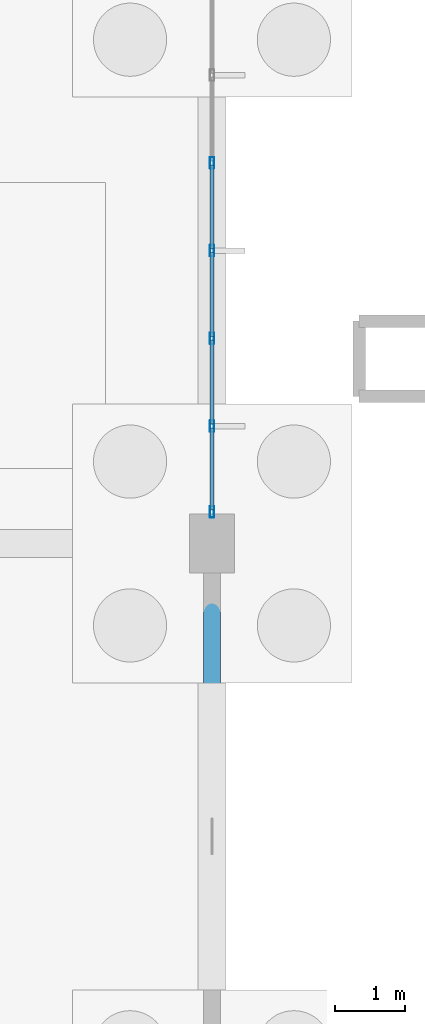
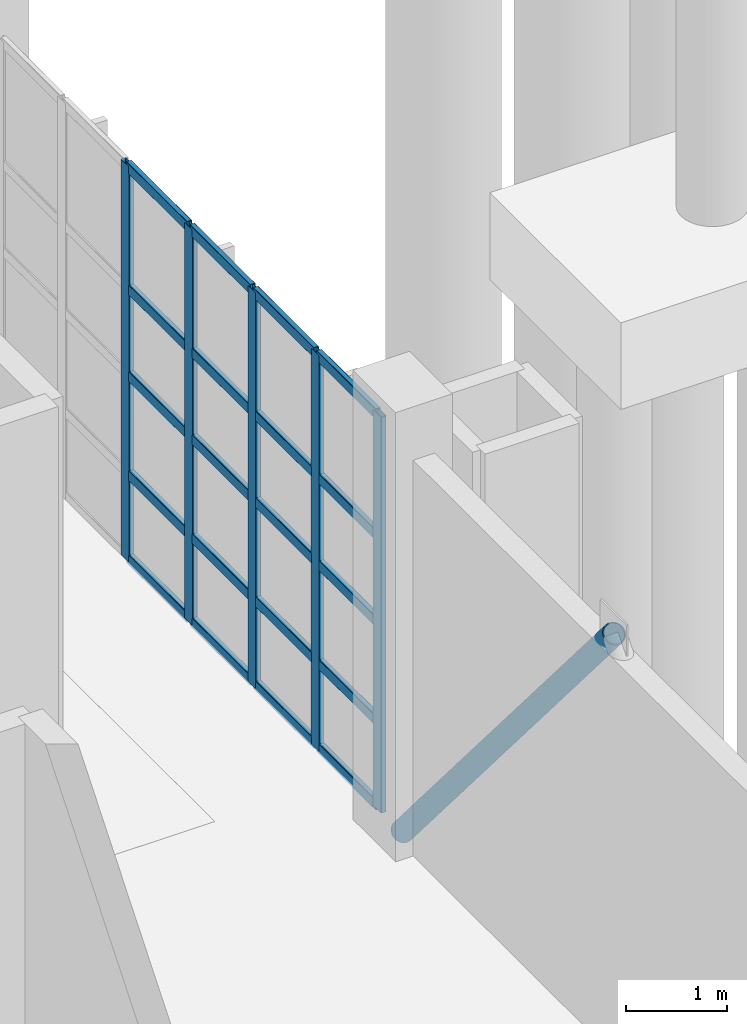
# One storey, part 30 of 83: 26 members, 1 element without a shape of its own.
"""IFC4 building model written with IfcOpenShell, lengths in metres."""

from ifc_helpers import new_model, si_unit, direction, frame, origin, origin_2d, place, context, subcontext, project, spatial, hollow_rectangle, hollow_circle, extrude, material, layer, layer_set, material_profile, profile_set, type_object, element, aggregate, save


model = new_model("IFC4")

# Units and contexts
model_context = context("Model", 3, precision=1e-05, world=origin(), true_north=direction((0.0, 1.0)))
body_context = subcontext(model_context, "Body", "Model", "MODEL_VIEW")
ifc_project = project(units=[si_unit("LENGTHUNIT", "METRE"), si_unit("AREAUNIT", "SQUARE_METRE"), si_unit("VOLUMEUNIT", "CUBIC_METRE"), si_unit("PLANEANGLEUNIT", "RADIAN"), si_unit("MASSUNIT", "GRAM", prefix="KILO"), si_unit("THERMODYNAMICTEMPERATUREUNIT", "KELVIN"), si_unit("POWERUNIT", "WATT")], contexts=[model_context])

# Site, building, storey
site_placement = place(None, origin())
site = spatial("IfcSite", under=ifc_project, at=site_placement, CompositionType="ELEMENT")
building_placement = place(site_placement, origin())
building = spatial("IfcBuilding", under=site, at=building_placement, Name="Mavoryth Pier Ferry Terminal", CompositionType="ELEMENT")
storey_placement = place(building_placement, origin())
storey = spatial("IfcBuildingStorey", under=building, at=storey_placement, Name="L00", CompositionType="ELEMENT", Elevation=0.0)

# Member
ifc_material_1 = material(Name="Steel S355J2", Category="steel")
ifc_material_profile_1 = material_profile(ifc_material_1, hollow_circle(Radius=0.122314453125, WallThickness=0.012451171875, at=origin_2d()), Name="CHS 244.5x12.5", Category="steel")
ifc_profile_set_1 = profile_set([ifc_material_profile_1], Name="Steel S355J2 - CHS 244.5x12.5")
member_type_1 = type_object("IfcMemberType", Name="Brace-Diag-CHS245", PredefinedType="BRACE", material=ifc_profile_set_1)
member_1_placement = place(storey_placement, frame((33.60009765625, 89.199951171875, 0.0), z_axis=(0.0, -0.64773803869, 0.761863132875), x_axis=(1.0, 0.0, 0.0)))
element("IfcMember", 1, at=member_1_placement, inside=storey, type_object=member_type_1, Name="Steel Member MB-L00-0305", PredefinedType="BRACE", context=body_context, shape_type="SweptSolid", body=[
    extrude(hollow_circle(Radius=0.122314453125, WallThickness=0.012451171875, at=origin_2d()), origin(), (0.0, 0.0, 1.0), 6.484130859375),
])

# Curtain wall, members
ifc_material_2 = material(Name="Anodised Aluminium and Solar-Control Low-E Glass", Category="aluminium")
ifc_layer = layer(ifc_material_2, 0.199951171875, Name="Anodised Aluminium and Solar-Control Low-E Glass", Category="aluminium")
ifc_layer_set = layer_set([ifc_layer], Name="Anodised Aluminium and Solar-Control Low-E Glass - CW-Concourse-Mod1200")
curtain_wall_type = type_object("IfcCurtainWallType", Name="CW-Concourse-Mod1200", PredefinedType="USERDEFINED", material=ifc_layer_set)
curtain_wall_placement = place(storey_placement, origin())
curtain_wall = element("IfcCurtainWall", 2, at=curtain_wall_placement, inside=storey, type_object=curtain_wall_type, Name="Curtain Wall CW-0022-026", ObjectType="UNITISED CURTAIN WALL", PredefinedType="USERDEFINED")
ifc_material_3 = material(Name="Anodised Aluminium EN AW-6063", Category="aluminium")
ifc_material_profile_2 = material_profile(ifc_material_3, hollow_rectangle(XDim=0.06005859375, YDim=0.1650390625, WallThickness=0.00390625, InnerFilletRadius=0.00390625, OuterFilletRadius=0.008056640625, at=origin_2d()), Name="AL-MULL 165x60x4", Category="aluminium")
ifc_profile_set_2 = profile_set([ifc_material_profile_2], Name="Anodised Aluminium EN AW-6063 - AL-MULL 165x60x4")
member_type_2 = type_object("IfcMemberType", Name="Mullion-Alum-165x60", PredefinedType="MULLION", material=ifc_profile_set_2)
member_2_placement = place(storey_placement, frame((33.60009765625, 89.655029296875, 0.0), z_axis=(0.0, 0.0, 1.0), x_axis=(-1.0, 0.0, 0.0)))
member_2 = element("IfcMember", 3, at=member_2_placement, type_object=member_type_2, Name="CW02 mullion 1", PredefinedType="MULLION", context=body_context, shape_type="SweptSolid", body=[
    extrude(hollow_rectangle(XDim=0.06005859375, YDim=0.1650390625, WallThickness=0.00390625, InnerFilletRadius=0.00390625, OuterFilletRadius=0.008056640625, at=origin_2d()), origin(), (0.0, 0.0, 1.0), 4.794921875),
])
member_3_placement = place(storey_placement, frame((33.60009765625, 90.88330078125, 0.0), z_axis=(0.0, 0.0, 1.0), x_axis=(-1.0, 0.0, 0.0)))
member_3 = element("IfcMember", 4, at=member_3_placement, type_object=member_type_2, Name="CW02 mullion 2", PredefinedType="MULLION", context=body_context, shape_type="SweptSolid", body=[
    extrude(hollow_rectangle(XDim=0.06005859375, YDim=0.1650390625, WallThickness=0.00390625, InnerFilletRadius=0.00390625, OuterFilletRadius=0.008056640625, at=origin_2d()), origin(), (0.0, 0.0, 1.0), 4.794921875),
])
member_4_placement = place(storey_placement, frame((33.60009765625, 92.1416015625, 0.0), z_axis=(0.0, 0.0, 1.0), x_axis=(-1.0, 0.0, 0.0)))
member_4 = element("IfcMember", 5, at=member_4_placement, type_object=member_type_2, Name="CW02 mullion 3", PredefinedType="MULLION", context=body_context, shape_type="SweptSolid", body=[
    extrude(hollow_rectangle(XDim=0.06005859375, YDim=0.1650390625, WallThickness=0.00390625, InnerFilletRadius=0.00390625, OuterFilletRadius=0.008056640625, at=origin_2d()), origin(), (0.0, 0.0, 1.0), 4.794921875),
])
member_5_placement = place(storey_placement, frame((33.60009765625, 93.39990234375, 0.0), z_axis=(0.0, 0.0, 1.0), x_axis=(-1.0, 0.0, 0.0)))
member_5 = element("IfcMember", 6, at=member_5_placement, type_object=member_type_2, Name="CW02 mullion 4", PredefinedType="MULLION", context=body_context, shape_type="SweptSolid", body=[
    extrude(hollow_rectangle(XDim=0.06005859375, YDim=0.1650390625, WallThickness=0.00390625, InnerFilletRadius=0.00390625, OuterFilletRadius=0.008056640625, at=origin_2d()), origin(), (0.0, 0.0, 1.0), 4.794921875),
])
member_6_placement = place(storey_placement, frame((33.60009765625, 94.658447265625, 0.0), z_axis=(0.0, 0.0, 1.0), x_axis=(-1.0, 0.0, 0.0)))
member_6 = element("IfcMember", 7, at=member_6_placement, type_object=member_type_2, Name="CW02 mullion 5", PredefinedType="MULLION", context=body_context, shape_type="SweptSolid", body=[
    extrude(hollow_rectangle(XDim=0.06005859375, YDim=0.1650390625, WallThickness=0.00390625, InnerFilletRadius=0.00390625, OuterFilletRadius=0.008056640625, at=origin_2d()), origin(), (0.0, 0.0, 1.0), 4.794921875),
])
ifc_material_profile_3 = material_profile(ifc_material_3, hollow_rectangle(XDim=0.06005859375, YDim=0.125, WallThickness=0.00390625, InnerFilletRadius=0.00390625, OuterFilletRadius=0.008056640625, at=origin_2d()), Name="AL-TRAN 125x60x4", Category="aluminium")
ifc_profile_set_3 = profile_set([ifc_material_profile_3], Name="Anodised Aluminium EN AW-6063 - AL-TRAN 125x60x4")
member_type_3 = type_object("IfcMemberType", Name="Transom-Alum-125x60", PredefinedType="USERDEFINED", material=ifc_profile_set_3)
member_7_placement = place(storey_placement, frame((33.60009765625, 89.68505859375, 0.030029296875), z_axis=(0.0, 1.0, 0.0), x_axis=(-1.0, 0.0, 0.0)))
member_7 = element("IfcMember", 8, at=member_7_placement, type_object=member_type_3, Name="CW02 transom 1.1", ObjectType="TRANSOM", PredefinedType="USERDEFINED", context=body_context, shape_type="SweptSolid", body=[
    extrude(hollow_rectangle(XDim=0.06005859375, YDim=0.125, WallThickness=0.00390625, InnerFilletRadius=0.00390625, OuterFilletRadius=0.008056640625, at=origin_2d()), origin(), (0.0, 0.0, 1.0), 1.168212890625),
])
member_8_placement = place(storey_placement, frame((33.60009765625, 89.68505859375, 1.050048828125), z_axis=(0.0, 1.0, 0.0), x_axis=(-1.0, 0.0, 0.0)))
member_8 = element("IfcMember", 9, at=member_8_placement, type_object=member_type_3, Name="CW02 transom 1.2", ObjectType="TRANSOM", PredefinedType="USERDEFINED", context=body_context, shape_type="SweptSolid", body=[
    extrude(hollow_rectangle(XDim=0.06005859375, YDim=0.125, WallThickness=0.00390625, InnerFilletRadius=0.00390625, OuterFilletRadius=0.008056640625, at=origin_2d()), origin(), (0.0, 0.0, 1.0), 1.168212890625),
])
member_9_placement = place(storey_placement, frame((33.60009765625, 89.68505859375, 2.25), z_axis=(0.0, 1.0, 0.0), x_axis=(-1.0, 0.0, 0.0)))
member_9 = element("IfcMember", 10, at=member_9_placement, type_object=member_type_3, Name="CW02 transom 1.3", ObjectType="TRANSOM", PredefinedType="USERDEFINED", context=body_context, shape_type="SweptSolid", body=[
    extrude(hollow_rectangle(XDim=0.06005859375, YDim=0.125, WallThickness=0.00390625, InnerFilletRadius=0.00390625, OuterFilletRadius=0.008056640625, at=origin_2d()), origin(), (0.0, 0.0, 1.0), 1.168212890625),
])
member_10_placement = place(storey_placement, frame((33.60009765625, 89.68505859375, 3.300048828125), z_axis=(0.0, 1.0, 0.0), x_axis=(-1.0, 0.0, 0.0)))
member_10 = element("IfcMember", 11, at=member_10_placement, type_object=member_type_3, Name="CW02 transom 1.4", ObjectType="TRANSOM", PredefinedType="USERDEFINED", context=body_context, shape_type="SweptSolid", body=[
    extrude(hollow_rectangle(XDim=0.06005859375, YDim=0.125, WallThickness=0.00390625, InnerFilletRadius=0.00390625, OuterFilletRadius=0.008056640625, at=origin_2d()), origin(), (0.0, 0.0, 1.0), 1.168212890625),
])
member_11_placement = place(storey_placement, frame((33.60009765625, 89.68505859375, 4.764892578125), z_axis=(0.0, 1.0, 0.0), x_axis=(-1.0, 0.0, 0.0)))
member_11 = element("IfcMember", 12, at=member_11_placement, type_object=member_type_3, Name="CW02 transom 1.5", ObjectType="TRANSOM", PredefinedType="USERDEFINED", context=body_context, shape_type="SweptSolid", body=[
    extrude(hollow_rectangle(XDim=0.06005859375, YDim=0.125, WallThickness=0.00390625, InnerFilletRadius=0.00390625, OuterFilletRadius=0.008056640625, at=origin_2d()), origin(), (0.0, 0.0, 1.0), 1.168212890625),
])
member_12_placement = place(storey_placement, frame((33.60009765625, 90.913330078125, 0.030029296875), z_axis=(0.0, 1.0, 0.0), x_axis=(-1.0, 0.0, 0.0)))
member_12 = element("IfcMember", 13, at=member_12_placement, type_object=member_type_3, Name="CW02 transom 2.1", ObjectType="TRANSOM", PredefinedType="USERDEFINED", context=body_context, shape_type="SweptSolid", body=[
    extrude(hollow_rectangle(XDim=0.06005859375, YDim=0.125, WallThickness=0.00390625, InnerFilletRadius=0.00390625, OuterFilletRadius=0.008056640625, at=origin_2d()), origin(), (0.0, 0.0, 1.0), 1.1982421875),
])
member_13_placement = place(storey_placement, frame((33.60009765625, 90.913330078125, 1.050048828125), z_axis=(0.0, 1.0, 0.0), x_axis=(-1.0, 0.0, 0.0)))
member_13 = element("IfcMember", 14, at=member_13_placement, type_object=member_type_3, Name="CW02 transom 2.2", ObjectType="TRANSOM", PredefinedType="USERDEFINED", context=body_context, shape_type="SweptSolid", body=[
    extrude(hollow_rectangle(XDim=0.06005859375, YDim=0.125, WallThickness=0.00390625, InnerFilletRadius=0.00390625, OuterFilletRadius=0.008056640625, at=origin_2d()), origin(), (0.0, 0.0, 1.0), 1.1982421875),
])
member_14_placement = place(storey_placement, frame((33.60009765625, 90.913330078125, 2.25), z_axis=(0.0, 1.0, 0.0), x_axis=(-1.0, 0.0, 0.0)))
member_14 = element("IfcMember", 15, at=member_14_placement, type_object=member_type_3, Name="CW02 transom 2.3", ObjectType="TRANSOM", PredefinedType="USERDEFINED", context=body_context, shape_type="SweptSolid", body=[
    extrude(hollow_rectangle(XDim=0.06005859375, YDim=0.125, WallThickness=0.00390625, InnerFilletRadius=0.00390625, OuterFilletRadius=0.008056640625, at=origin_2d()), origin(), (0.0, 0.0, 1.0), 1.1982421875),
])
member_15_placement = place(storey_placement, frame((33.60009765625, 90.913330078125, 3.300048828125), z_axis=(0.0, 1.0, 0.0), x_axis=(-1.0, 0.0, 0.0)))
member_15 = element("IfcMember", 16, at=member_15_placement, type_object=member_type_3, Name="CW02 transom 2.4", ObjectType="TRANSOM", PredefinedType="USERDEFINED", context=body_context, shape_type="SweptSolid", body=[
    extrude(hollow_rectangle(XDim=0.06005859375, YDim=0.125, WallThickness=0.00390625, InnerFilletRadius=0.00390625, OuterFilletRadius=0.008056640625, at=origin_2d()), origin(), (0.0, 0.0, 1.0), 1.1982421875),
])
member_16_placement = place(storey_placement, frame((33.60009765625, 90.913330078125, 4.764892578125), z_axis=(0.0, 1.0, 0.0), x_axis=(-1.0, 0.0, 0.0)))
member_16 = element("IfcMember", 17, at=member_16_placement, type_object=member_type_3, Name="CW02 transom 2.5", ObjectType="TRANSOM", PredefinedType="USERDEFINED", context=body_context, shape_type="SweptSolid", body=[
    extrude(hollow_rectangle(XDim=0.06005859375, YDim=0.125, WallThickness=0.00390625, InnerFilletRadius=0.00390625, OuterFilletRadius=0.008056640625, at=origin_2d()), origin(), (0.0, 0.0, 1.0), 1.1982421875),
])
member_17_placement = place(storey_placement, frame((33.60009765625, 92.171630859375, 0.030029296875), z_axis=(0.0, 1.0, 0.0), x_axis=(-1.0, 0.0, 0.0)))
member_17 = element("IfcMember", 18, at=member_17_placement, type_object=member_type_3, Name="CW02 transom 3.1", ObjectType="TRANSOM", PredefinedType="USERDEFINED", context=body_context, shape_type="SweptSolid", body=[
    extrude(hollow_rectangle(XDim=0.06005859375, YDim=0.125, WallThickness=0.00390625, InnerFilletRadius=0.00390625, OuterFilletRadius=0.008056640625, at=origin_2d()), origin(), (0.0, 0.0, 1.0), 1.198486328125),
])
member_18_placement = place(storey_placement, frame((33.60009765625, 92.171630859375, 1.050048828125), z_axis=(0.0, 1.0, 0.0), x_axis=(-1.0, 0.0, 0.0)))
member_18 = element("IfcMember", 19, at=member_18_placement, type_object=member_type_3, Name="CW02 transom 3.2", ObjectType="TRANSOM", PredefinedType="USERDEFINED", context=body_context, shape_type="SweptSolid", body=[
    extrude(hollow_rectangle(XDim=0.06005859375, YDim=0.125, WallThickness=0.00390625, InnerFilletRadius=0.00390625, OuterFilletRadius=0.008056640625, at=origin_2d()), origin(), (0.0, 0.0, 1.0), 1.198486328125),
])
member_19_placement = place(storey_placement, frame((33.60009765625, 92.171630859375, 2.25), z_axis=(0.0, 1.0, 0.0), x_axis=(-1.0, 0.0, 0.0)))
member_19 = element("IfcMember", 20, at=member_19_placement, type_object=member_type_3, Name="CW02 transom 3.3", ObjectType="TRANSOM", PredefinedType="USERDEFINED", context=body_context, shape_type="SweptSolid", body=[
    extrude(hollow_rectangle(XDim=0.06005859375, YDim=0.125, WallThickness=0.00390625, InnerFilletRadius=0.00390625, OuterFilletRadius=0.008056640625, at=origin_2d()), origin(), (0.0, 0.0, 1.0), 1.198486328125),
])
member_20_placement = place(storey_placement, frame((33.60009765625, 92.171630859375, 3.300048828125), z_axis=(0.0, 1.0, 0.0), x_axis=(-1.0, 0.0, 0.0)))
member_20 = element("IfcMember", 21, at=member_20_placement, type_object=member_type_3, Name="CW02 transom 3.4", ObjectType="TRANSOM", PredefinedType="USERDEFINED", context=body_context, shape_type="SweptSolid", body=[
    extrude(hollow_rectangle(XDim=0.06005859375, YDim=0.125, WallThickness=0.00390625, InnerFilletRadius=0.00390625, OuterFilletRadius=0.008056640625, at=origin_2d()), origin(), (0.0, 0.0, 1.0), 1.198486328125),
])
member_21_placement = place(storey_placement, frame((33.60009765625, 92.171630859375, 4.764892578125), z_axis=(0.0, 1.0, 0.0), x_axis=(-1.0, 0.0, 0.0)))
member_21 = element("IfcMember", 22, at=member_21_placement, type_object=member_type_3, Name="CW02 transom 3.5", ObjectType="TRANSOM", PredefinedType="USERDEFINED", context=body_context, shape_type="SweptSolid", body=[
    extrude(hollow_rectangle(XDim=0.06005859375, YDim=0.125, WallThickness=0.00390625, InnerFilletRadius=0.00390625, OuterFilletRadius=0.008056640625, at=origin_2d()), origin(), (0.0, 0.0, 1.0), 1.198486328125),
])
member_22_placement = place(storey_placement, frame((33.60009765625, 93.429931640625, 0.030029296875), z_axis=(0.0, 1.0, 0.0), x_axis=(-1.0, 0.0, 0.0)))
member_22 = element("IfcMember", 23, at=member_22_placement, type_object=member_type_3, Name="CW02 transom 4.1", ObjectType="TRANSOM", PredefinedType="USERDEFINED", context=body_context, shape_type="SweptSolid", body=[
    extrude(hollow_rectangle(XDim=0.06005859375, YDim=0.125, WallThickness=0.00390625, InnerFilletRadius=0.00390625, OuterFilletRadius=0.008056640625, at=origin_2d()), origin(), (0.0, 0.0, 1.0), 1.198486328125),
])
member_23_placement = place(storey_placement, frame((33.60009765625, 93.429931640625, 1.050048828125), z_axis=(0.0, 1.0, 0.0), x_axis=(-1.0, 0.0, 0.0)))
member_23 = element("IfcMember", 24, at=member_23_placement, type_object=member_type_3, Name="CW02 transom 4.2", ObjectType="TRANSOM", PredefinedType="USERDEFINED", context=body_context, shape_type="SweptSolid", body=[
    extrude(hollow_rectangle(XDim=0.06005859375, YDim=0.125, WallThickness=0.00390625, InnerFilletRadius=0.00390625, OuterFilletRadius=0.008056640625, at=origin_2d()), origin(), (0.0, 0.0, 1.0), 1.198486328125),
])
member_24_placement = place(storey_placement, frame((33.60009765625, 93.429931640625, 2.25), z_axis=(0.0, 1.0, 0.0), x_axis=(-1.0, 0.0, 0.0)))
member_24 = element("IfcMember", 25, at=member_24_placement, type_object=member_type_3, Name="CW02 transom 4.3", ObjectType="TRANSOM", PredefinedType="USERDEFINED", context=body_context, shape_type="SweptSolid", body=[
    extrude(hollow_rectangle(XDim=0.06005859375, YDim=0.125, WallThickness=0.00390625, InnerFilletRadius=0.00390625, OuterFilletRadius=0.008056640625, at=origin_2d()), origin(), (0.0, 0.0, 1.0), 1.198486328125),
])
member_25_placement = place(storey_placement, frame((33.60009765625, 93.429931640625, 3.300048828125), z_axis=(0.0, 1.0, 0.0), x_axis=(-1.0, 0.0, 0.0)))
member_25 = element("IfcMember", 26, at=member_25_placement, type_object=member_type_3, Name="CW02 transom 4.4", ObjectType="TRANSOM", PredefinedType="USERDEFINED", context=body_context, shape_type="SweptSolid", body=[
    extrude(hollow_rectangle(XDim=0.06005859375, YDim=0.125, WallThickness=0.00390625, InnerFilletRadius=0.00390625, OuterFilletRadius=0.008056640625, at=origin_2d()), origin(), (0.0, 0.0, 1.0), 1.198486328125),
])
member_26_placement = place(storey_placement, frame((33.60009765625, 93.429931640625, 4.764892578125), z_axis=(0.0, 1.0, 0.0), x_axis=(-1.0, 0.0, 0.0)))
member_26 = element("IfcMember", 27, at=member_26_placement, type_object=member_type_3, Name="CW02 transom 4.5", ObjectType="TRANSOM", PredefinedType="USERDEFINED", context=body_context, shape_type="SweptSolid", body=[
    extrude(hollow_rectangle(XDim=0.06005859375, YDim=0.125, WallThickness=0.00390625, InnerFilletRadius=0.00390625, OuterFilletRadius=0.008056640625, at=origin_2d()), origin(), (0.0, 0.0, 1.0), 1.198486328125),
])
aggregate(curtain_wall, [member_2, member_3, member_4, member_5, member_6, member_7, member_8, member_9, member_10, member_11, member_12, member_13, member_14, member_15, member_16, member_17, member_18, member_19, member_20, member_21, member_22, member_23, member_24, member_25, member_26])

save(model, "model.ifc")
